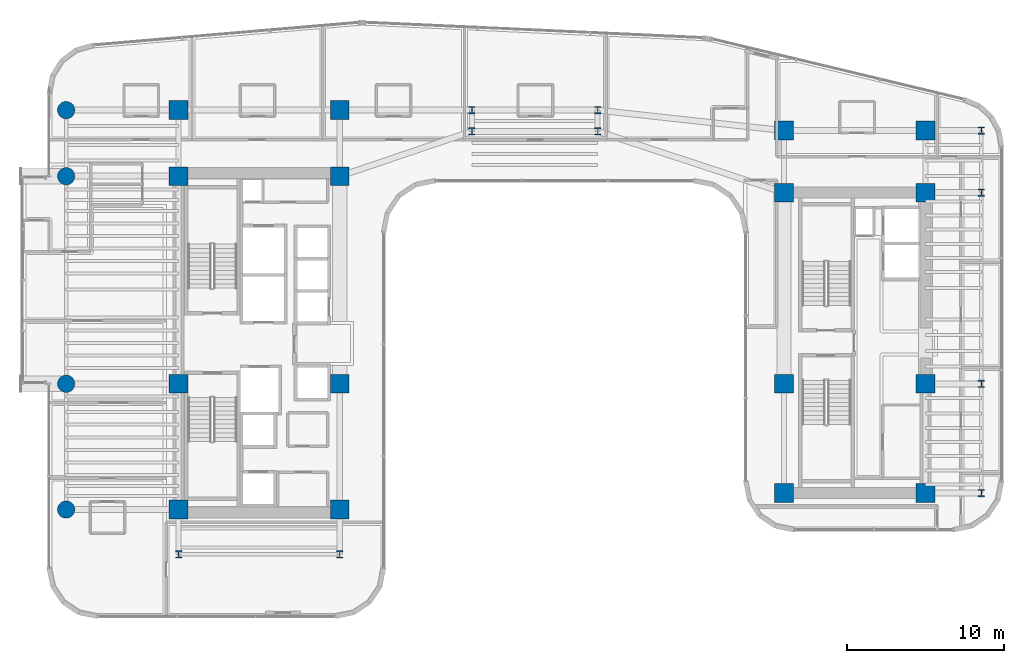
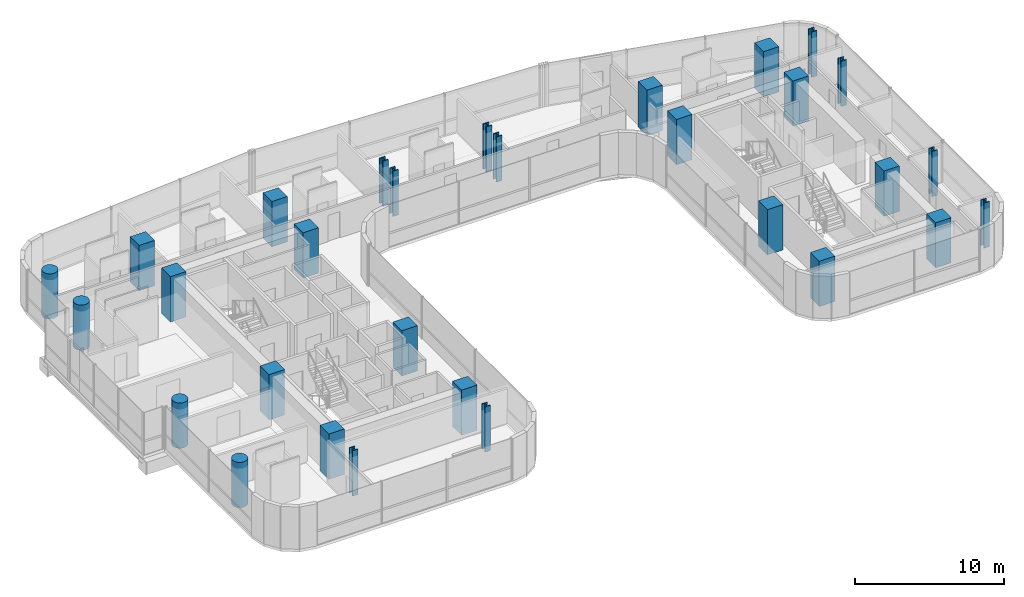
# One storey, part 1 of 35: 30 columns.
"""IFC4 building model written with IfcOpenShell, lengths in metres."""

from ifc_helpers import new_model, si_unit, direction, frame, origin, origin_2d, place, context, subcontext, project, spatial, rectangle, circle, i_section, extrude, source, transform, mapped, material, material_profile, profile_set, type_object, element, save


model = new_model("IFC4")

# Units and contexts
model_context = context("Model", 3, precision=1e-05, world=origin(), true_north=direction((0.0, 1.0)))
body_context = subcontext(model_context, "Body", "Model", "MODEL_VIEW")
ifc_project = project(units=[si_unit("LENGTHUNIT", "METRE"), si_unit("AREAUNIT", "SQUARE_METRE"), si_unit("VOLUMEUNIT", "CUBIC_METRE"), si_unit("PLANEANGLEUNIT", "RADIAN"), si_unit("MASSUNIT", "GRAM", prefix="KILO")], contexts=[model_context])

# Site, building, storey
site_placement = place(None, origin())
site = spatial("IfcSite", under=ifc_project, at=site_placement, CompositionType="ELEMENT")
building_placement = place(site_placement, origin())
building = spatial("IfcBuilding", under=site, at=building_placement, Name="Valdorenza Pilgrim Sanctuary Tower", CompositionType="ELEMENT")
storey_placement = place(building_placement, frame((0.0, 0.0, 113.10009765625)))
storey = spatial("IfcBuildingStorey", under=building, at=storey_placement, Name="L28", CompositionType="ELEMENT", Elevation=113.10009765625)

# Columns
ifc_material_1 = material(Name="Concrete C50/60", Category="concrete")
ifc_material_profile_1 = material_profile(ifc_material_1, circle(Radius=0.550048828125, at=origin_2d()), Name="RC D1100")
ifc_profile_set_1 = profile_set([ifc_material_profile_1], Name="Concrete C50/60")
column_type_1 = type_object("IfcColumnType", Name="COL-RND-1100", PredefinedType="COLUMN", material=ifc_profile_set_1)
shared_shape_1 = source(origin(), body_context, "Body", "SweptSolid", [
    extrude(circle(Radius=0.550048828125, at=origin_2d()), origin(), (0.0, 0.0, 1.0), 3.699951171875),
])
for number, where, z_axis, x_axis, name in (
    (1, (-29.800048828125, -10.60009765625, 0.0), (0.0, 0.0, 1.0), (1.0, 0.0, 0.0), "L28 Perimeter Column WA-W-S1"),
    (2, (-29.800048828125, -2.60009765625, 0.0), (0.0, 0.0, 1.0), (1.0, 0.0, 0.0), "L28 Perimeter Column WA-W-M0"),
    (3, (-29.800048828125, 10.60009765625, 0.0), (0.0, 0.0, 1.0), (1.0, 0.0, 0.0), "L28 Perimeter Column WA-W-N1"),
    (4, (-29.800048828125, 14.800048828125, 0.0), (0.0, 0.0, 1.0), (1.0, 0.0, 0.0), "L28 Perimeter Column WA-W-N2"),
):
    element("IfcColumn", number, at=place(storey_placement, frame(where, z_axis=z_axis, x_axis=x_axis)), inside=storey, type_object=column_type_1, Name=name, PredefinedType="COLUMN", context=body_context, shape_type="MappedRepresentation", body=[
        mapped(shared_shape_1, transform((0.0, 0.0, 0.0), x_axis=(1.0, 0.0, 0.0), y_axis=(0.0, 1.0, 0.0), z_axis=(0.0, 0.0, 1.0), scale=1.0)),
    ])
ifc_material_2 = material(Name="Concrete C60/75", Category="concrete")
ifc_material_profile_2 = material_profile(ifc_material_2, rectangle(XDim=1.199951171875, YDim=1.199951171875, at=origin_2d()), Name="RC 1200x1200")
ifc_profile_set_2 = profile_set([ifc_material_profile_2], Name="Concrete C60/75")
column_type_2 = type_object("IfcColumnType", Name="COL-Z2-1200", PredefinedType="COLUMN", material=ifc_profile_set_2)
shared_shape_2 = source(origin(), body_context, "Body", "SweptSolid", [
    extrude(rectangle(XDim=1.199951171875, YDim=1.199951171875, at=origin_2d()), origin(), (0.0, 0.0, 1.0), 3.699951171875),
])
for number, where, z_axis, x_axis, name in (
    (5, (-22.64990234375, -10.60009765625, 0.0), (0.0, 0.0, 1.0), (1.0, 0.0, 0.0), "L28 Column CA-W-S1"),
    (6, (-12.39990234375, -10.60009765625, 0.0), (0.0, 0.0, 1.0), (1.0, 0.0, 0.0), "L28 Column CA-E-S1"),
    (7, (-22.64990234375, -2.60009765625, 0.0), (0.0, 0.0, 1.0), (1.0, 0.0, 0.0), "L28 Column CA-W-M0"),
    (8, (-12.39990234375, -2.60009765625, 0.0), (0.0, 0.0, 1.0), (1.0, 0.0, 0.0), "L28 Column CA-E-M0"),
    (9, (-22.64990234375, 10.60009765625, 0.0), (0.0, 0.0, 1.0), (1.0, 0.0, 0.0), "L28 Column CA-W-N1"),
    (10, (-12.39990234375, 10.60009765625, 0.0), (0.0, 0.0, 1.0), (1.0, 0.0, 0.0), "L28 Column CA-E-N1"),
    (11, (-22.64990234375, 14.800048828125, 0.0), (0.0, 0.0, 1.0), (1.0, 0.0, 0.0), "L28 Column CA-W-N2"),
    (12, (-12.39990234375, 14.800048828125, 0.0), (0.0, 0.0, 1.0), (1.0, 0.0, 0.0), "L28 Column CA-E-N2"),
    (13, (15.85009765625, -9.550048828125, 0.0), (0.0, 0.0, 1.0), (1.0, 0.0, 0.0), "L28 Column CB-W-S1"),
    (14, (24.85009765625, -9.550048828125, 0.0), (0.0, 0.0, 1.0), (1.0, 0.0, 0.0), "L28 Column CB-E-S1"),
    (15, (15.85009765625, -2.60009765625, 0.0), (0.0, 0.0, 1.0), (1.0, 0.0, 0.0), "L28 Column CB-W-M0"),
    (16, (24.85009765625, -2.60009765625, 0.0), (0.0, 0.0, 1.0), (1.0, 0.0, 0.0), "L28 Column CB-E-M0"),
    (17, (15.85009765625, 9.550048828125, 0.0), (0.0, 0.0, 1.0), (1.0, 0.0, 0.0), "L28 Column CB-W-N1"),
    (18, (24.85009765625, 9.550048828125, 0.0), (0.0, 0.0, 1.0), (1.0, 0.0, 0.0), "L28 Column CB-E-N1"),
    (19, (15.85009765625, 13.5, 0.0), (0.0, 0.0, 1.0), (1.0, 0.0, 0.0), "L28 Column CB-W-N2"),
    (20, (24.85009765625, 13.5, 0.0), (0.0, 0.0, 1.0), (1.0, 0.0, 0.0), "L28 Column CB-E-N2"),
):
    element("IfcColumn", number, at=place(storey_placement, frame(where, z_axis=z_axis, x_axis=x_axis)), inside=storey, type_object=column_type_2, Name=name, PredefinedType="COLUMN", context=body_context, shape_type="MappedRepresentation", body=[
        mapped(shared_shape_2, transform((0.0, 0.0, 0.0), x_axis=(1.0, 0.0, 0.0), y_axis=(0.0, 1.0, 0.0), z_axis=(0.0, 0.0, 1.0), scale=1.0)),
    ])
ifc_material_3 = material(Name="Steel ASTM A992 Grade 50", Category="steel")
ifc_material_profile_3 = material_profile(ifc_material_3, i_section(OverallWidth=0.424072265625, OverallDepth=0.47412109375, WebThickness=0.047607421875, FlangeThickness=0.0771484375, at=origin_2d()), Name="W14X426")
ifc_profile_set_3 = profile_set([ifc_material_profile_3], Name="Steel ASTM A992 Grade 50")
column_type_3 = type_object("IfcColumnType", Name="COL-STL-W426", PredefinedType="COLUMN", material=ifc_profile_set_3)
shared_shape_3 = source(origin(), body_context, "Body", "SweptSolid", [
    extrude(i_section(OverallWidth=0.424072265625, OverallDepth=0.47412109375, WebThickness=0.047607421875, FlangeThickness=0.0771484375, at=origin_2d()), origin(), (0.0, 0.0, 1.0), 3.699951171875),
])
for number, where, z_axis, x_axis, name in (
    (21, (-22.64990234375, -13.449951171875, 0.0), (0.0, 0.0, 1.0), (1.0, 0.0, 0.0), "L28 Column WA-S-W"),
    (22, (-12.39990234375, -13.449951171875, 0.0), (0.0, 0.0, 1.0), (1.0, 0.0, 0.0), "L28 Column WA-S-E"),
    (23, (28.39990234375, -9.550048828125, 0.0), (0.0, 0.0, 1.0), (1.0, 0.0, 0.0), "L28 Perimeter Column WB-E-S1"),
    (24, (28.39990234375, -2.60009765625, 0.0), (0.0, 0.0, 1.0), (1.0, 0.0, 0.0), "L28 Perimeter Column WB-E-M0"),
    (25, (28.39990234375, 9.550048828125, 0.0), (0.0, 0.0, 1.0), (1.0, 0.0, 0.0), "L28 Perimeter Column WB-E-N1"),
    (26, (28.39990234375, 13.5, 0.0), (0.0, 0.0, 1.0), (1.0, 0.0, 0.0), "L28 Perimeter Column WB-E-N2"),
    (27, (-4.0, 13.449951171875, 0.0), (0.0, 0.0, 1.0), (1.0, 0.0, 0.0), "L28 Column KNK-W1"),
    (28, (-4.0, 14.800048828125, 0.0), (0.0, 0.0, 1.0), (1.0, 0.0, 0.0), "L28 Column KNK-W2"),
    (29, (4.0, 13.449951171875, 0.0), (0.0, 0.0, 1.0), (1.0, 0.0, 0.0), "L28 Column KNK-E1"),
    (30, (4.0, 14.800048828125, 0.0), (0.0, 0.0, 1.0), (1.0, 0.0, 0.0), "L28 Column KNK-E2"),
):
    element("IfcColumn", number, at=place(storey_placement, frame(where, z_axis=z_axis, x_axis=x_axis)), inside=storey, type_object=column_type_3, Name=name, PredefinedType="COLUMN", context=body_context, shape_type="MappedRepresentation", body=[
        mapped(shared_shape_3, transform((0.0, 0.0, 0.0), x_axis=(1.0, 0.0, 0.0), y_axis=(0.0, 1.0, 0.0), z_axis=(0.0, 0.0, 1.0), scale=1.0)),
    ])

save(model, "model.ifc")
